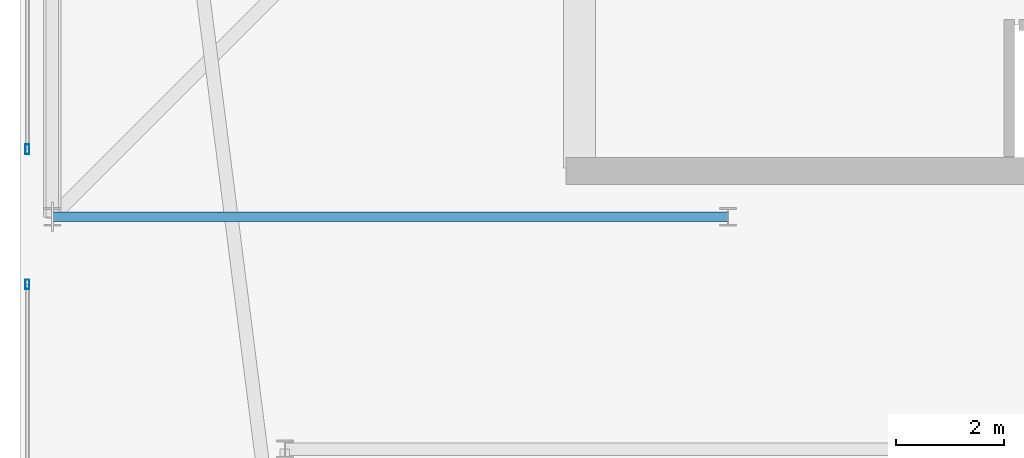
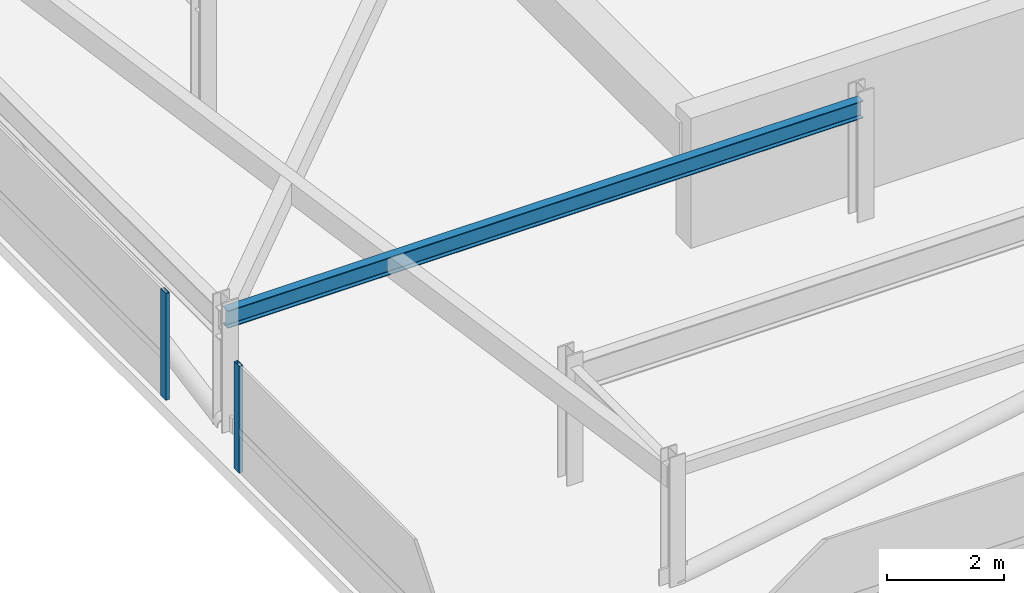
# One storey, part 9 of 42: 2 members, 1 beam, 2 elements without a shape of their own.
"""IFC4 building model written with IfcOpenShell, lengths in metres."""

from ifc_helpers import new_model, si_unit, direction, frame, origin, origin_2d, place, context, subcontext, project, spatial, hollow_rectangle, i_section, extrude, material, material_profile, profile_set, type_object, element, aggregate, save


model = new_model("IFC4")

# Units and contexts
model_context = context("Model", 3, precision=1e-05, world=origin(), true_north=direction((0.0, 1.0)))
body_context = subcontext(model_context, "Body", "Model", "MODEL_VIEW")
ifc_project = project(units=[si_unit("LENGTHUNIT", "METRE"), si_unit("AREAUNIT", "SQUARE_METRE"), si_unit("VOLUMEUNIT", "CUBIC_METRE"), si_unit("PLANEANGLEUNIT", "RADIAN"), si_unit("MASSUNIT", "GRAM", prefix="KILO")], contexts=[model_context])

# Site, building, storey
site_placement = place(None, origin())
site = spatial("IfcSite", under=ifc_project, at=site_placement, CompositionType="ELEMENT")
building_placement = place(site_placement, origin())
building = spatial("IfcBuilding", under=site, at=building_placement, Name="Thornwick Lancets Civic Towers", CompositionType="ELEMENT")
storey_placement = place(building_placement, frame((0.0, 0.0, 284.10009765625)))
storey = spatial("IfcBuildingStorey", under=building, at=storey_placement, Name="C02", CompositionType="ELEMENT", Elevation=284.10009765625)

# Beam
ifc_material_1 = material(Name="Steel S355JR", Category="steel")
ifc_material_profile_1 = material_profile(ifc_material_1, i_section(OverallWidth=0.173095703125, OverallDepth=0.36328125, WebThickness=0.009033203125, FlangeThickness=0.015625, FilletRadius=0.01025390625, at=origin_2d()), Name="UKB 356x171x67")
ifc_profile_set_1 = profile_set([ifc_material_profile_1], Name="Steel S355JR")
beam_type = type_object("IfcBeamType", Name="BM_JOIST_356_67", PredefinedType="JOIST", material=ifc_profile_set_1)
beam_placement = place(storey_placement, frame((20.699951171875, 14.0, 2.25830078125), z_axis=(-1.0, 0.0, 0.0), x_axis=(0.0, -1.0, 0.0)))
element("IfcBeam", 1, at=beam_placement, inside=storey, type_object=beam_type, Name="BM-RADIN-C02-A10", PredefinedType="JOIST", context=body_context, shape_type="SweptSolid", body=[
    extrude(i_section(OverallWidth=0.173095703125, OverallDepth=0.36328125, WebThickness=0.009033203125, FlangeThickness=0.015625, FilletRadius=0.01025390625, at=origin_2d()), origin(), (0.0, 0.0, 1.0), 12.5),
])

# Curtain wall, member
ifc_material_2 = material(Name="Crown ring acoustic-louvre and glazing screen wall", Category="glass")
curtain_wall_type = type_object("IfcCurtainWallType", Name="CW_SYS_07", PredefinedType="NOTDEFINED", material=ifc_material_2)
curtain_wall_1_placement = place(storey_placement, origin())
curtain_wall_1 = element("IfcCurtainWall", 2, at=curtain_wall_1_placement, inside=storey, type_object=curtain_wall_type, Name="C02 Curtain Wall CW-C02-A-E6-S2", PredefinedType="NOTDEFINED")
ifc_material_3 = material(Name="Thermally broken bronze aluminium S355", Category="steel")
ifc_material_profile_2 = material_profile(ifc_material_3, hollow_rectangle(XDim=0.074951171875, YDim=0.179931640625, WallThickness=0.006103515625, at=origin_2d()), Name="RHS 180x75x6")
ifc_profile_set_2 = profile_set([ifc_material_profile_2], Name="Thermally broken bronze aluminium S355")
member_type = type_object("IfcMemberType", Name="CW_MUL_180", PredefinedType="MULLION", material=ifc_profile_set_2)
member_1_placement = place(storey_placement, frame((7.7353515625, 15.25, 0.0), z_axis=(0.0, 0.0, 1.0), x_axis=(1.0, 0.0, 0.0)))
member_1 = element("IfcMember", 3, at=member_1_placement, type_object=member_type, Name="CW-C02-A-E6-S2 Mullion 1", PredefinedType="MULLION", context=body_context, shape_type="SweptSolid", body=[
    extrude(hollow_rectangle(XDim=0.074951171875, YDim=0.179931640625, WallThickness=0.006103515625, at=origin_2d()), origin(), (0.0, 0.0, 1.0), 2.219970703125),
])
aggregate(curtain_wall_1, [member_1])

curtain_wall_2_placement = place(storey_placement, origin())
curtain_wall_2 = element("IfcCurtainWall", 4, at=curtain_wall_2_placement, inside=storey, type_object=curtain_wall_type, Name="C02 Curtain Wall CW-C02-A-E6-S3", PredefinedType="NOTDEFINED")
member_2_placement = place(storey_placement, frame((7.7353515625, 12.75, 0.0), z_axis=(0.0, 0.0, 1.0), x_axis=(1.0, 0.0, 0.0)))
member_2 = element("IfcMember", 5, at=member_2_placement, type_object=member_type, Name="CW-C02-A-E6-S3 Mullion 0", PredefinedType="MULLION", context=body_context, shape_type="SweptSolid", body=[
    extrude(hollow_rectangle(XDim=0.074951171875, YDim=0.179931640625, WallThickness=0.006103515625, at=origin_2d()), origin(), (0.0, 0.0, 1.0), 2.219970703125),
])
aggregate(curtain_wall_2, [member_2])

save(model, "model.ifc")
